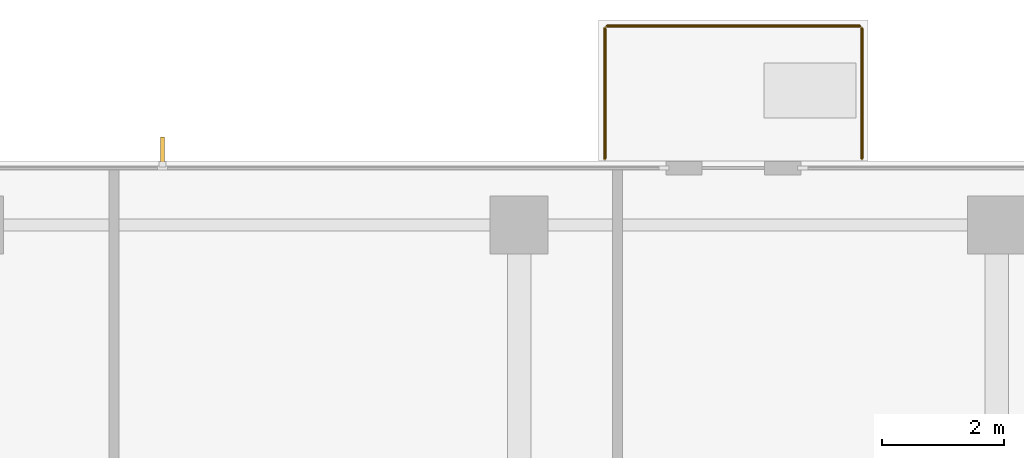
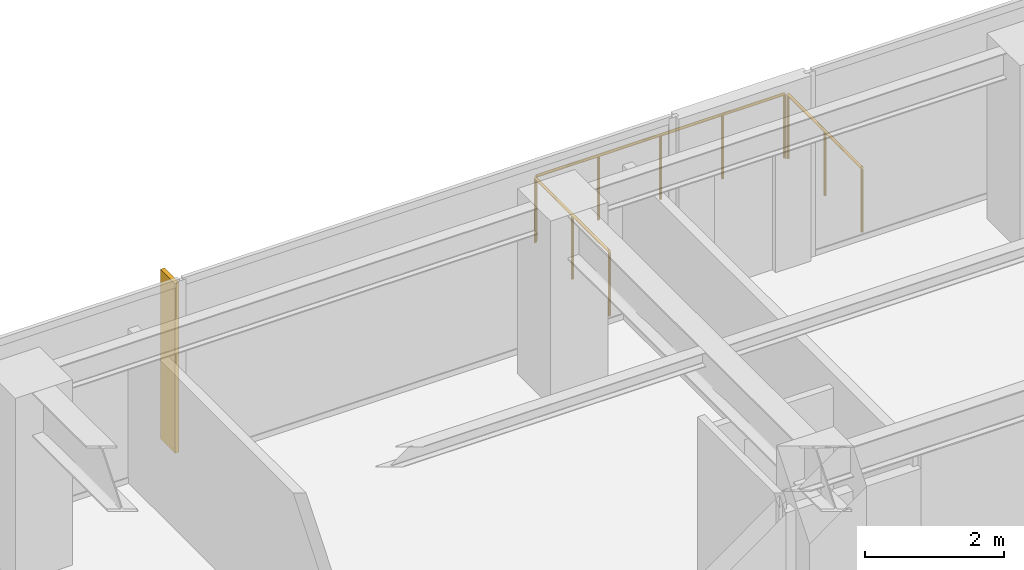
# One storey, part 15 of 15: 3 railings, 1 shading device.
"""IFC4 building model written with IfcOpenShell, lengths in metres."""

from ifc_helpers import new_model, si_unit, direction, frame, origin, origin_2d, place, context, subcontext, project, spatial, polyline, circle, outline, extrude, material, layer, layer_set, type_object, element, save


model = new_model("IFC4")

# Units and contexts
model_context = context("Model", 3, precision=1e-05, world=origin(), true_north=direction((0.0, 1.0)))
body_context = subcontext(model_context, "Body", "Model", "MODEL_VIEW")
ifc_project = project(units=[si_unit("LENGTHUNIT", "METRE"), si_unit("AREAUNIT", "SQUARE_METRE"), si_unit("VOLUMEUNIT", "CUBIC_METRE"), si_unit("PLANEANGLEUNIT", "RADIAN"), si_unit("MASSUNIT", "GRAM", prefix="KILO")], contexts=[model_context])

# Site, building, storey
site_placement = place(None, origin())
site = spatial("IfcSite", under=ifc_project, at=site_placement, CompositionType="ELEMENT")
building_placement = place(site_placement, origin())
building = spatial("IfcBuilding", under=site, at=building_placement, Name="Qalmaran Belvedere Hotel", CompositionType="ELEMENT")
storey_placement = place(building_placement, frame((0.0, 0.0, 214.39990234375)))
storey = spatial("IfcBuildingStorey", under=building, at=storey_placement, Name="L54", CompositionType="ELEMENT", Elevation=214.39990234375)

# Shading device
ifc_material = material(Name="Anodised Bronze Aluminium", Category="aluminium")
ifc_layer = layer(ifc_material, 0.06494140625, Name="Anodised Bronze Aluminium")
ifc_layer_set = layer_set([ifc_layer], Name="Anodised Bronze Aluminium")
shading_device_type = type_object("IfcShadingDeviceType", Name="FIN-BRNZ-420", PredefinedType="USERDEFINED", material=ifc_layer_set)
shading_device_placement = place(storey_placement, frame((0.0, 0.0, 0.16015625)))
element("IfcShadingDevice", 1, at=shading_device_placement, inside=storey, type_object=shading_device_type, Name="L54 Bronze Fin 1", ObjectType="FIN", PredefinedType="USERDEFINED", context=body_context, shape_type="SweptSolid", body=[
    extrude(outline(polyline([(23.407470703125, 41.467529296875), (23.407470703125, 41.887451171875), (23.342529296875, 41.887451171875), (23.342529296875, 41.467529296875), (23.407470703125, 41.467529296875)])), origin(), (0.0, 0.0, 1.0), 2.97998046875),
])

# Railings
railing_type = type_object("IfcRailingType", Name="GRD-BAL-1150", PredefinedType="BALUSTRADE", material=ifc_material)
railing_1_placement = place(storey_placement, frame((30.60009765625, 41.534912109375, 0.0)))
element("IfcRailing", 2, at=railing_1_placement, inside=storey, type_object=railing_type, Name="L54 Guardrail BAL-L54-N-1", PredefinedType="BALUSTRADE", context=body_context, shape_type="SweptSolid", body=[
    extrude(circle(Radius=0.02392578125, at=origin_2d()), frame((0.0, 0.0, 1.1259765625), z_axis=(0.0, 1.0, 0.0), x_axis=(-1.0, 0.0, 0.0)), (0.0, 0.0, 1.0), 2.130126953125),
    extrude(circle(Radius=0.02099609375, at=origin_2d()), origin(), (0.0, 0.0, 1.0), 1.101806640625),
    extrude(circle(Radius=0.02099609375, at=origin_2d()), frame((0.0, 1.06494140625, 0.0)), (0.0, 0.0, 1.0), 1.101806640625),
    extrude(circle(Radius=0.02099609375, at=origin_2d()), frame((0.0, 2.130126953125, 0.0)), (0.0, 0.0, 1.0), 1.101806640625),
])
railing_2_placement = place(storey_placement, frame((30.635009765625, 43.699951171875, 0.0)))
element("IfcRailing", 3, at=railing_2_placement, inside=storey, type_object=railing_type, Name="L54 Guardrail BAL-L54-N-2", PredefinedType="BALUSTRADE", context=body_context, shape_type="SweptSolid", body=[
    extrude(circle(Radius=0.02392578125, at=origin_2d()), frame((0.0, 0.0, 1.1259765625), z_axis=(1.0, 0.0, 0.0), x_axis=(0.0, 1.0, 0.0)), (0.0, 0.0, 1.0), 4.1298828125),
    extrude(circle(Radius=0.02099609375, at=origin_2d()), origin(), (0.0, 0.0, 1.0), 1.101806640625),
    extrude(circle(Radius=0.02099609375, at=origin_2d()), frame((1.032470703125, 0.0, 0.0)), (0.0, 0.0, 1.0), 1.101806640625),
    extrude(circle(Radius=0.02099609375, at=origin_2d()), frame((2.06494140625, 0.0, 0.0)), (0.0, 0.0, 1.0), 1.101806640625),
    extrude(circle(Radius=0.02099609375, at=origin_2d()), frame((3.097412109375, 0.0, 0.0)), (0.0, 0.0, 1.0), 1.101806640625),
    extrude(circle(Radius=0.02099609375, at=origin_2d()), frame((4.1298828125, 0.0, 0.0)), (0.0, 0.0, 1.0), 1.101806640625),
])
railing_3_placement = place(storey_placement, frame((34.800048828125, 43.6650390625, 0.0)))
element("IfcRailing", 4, at=railing_3_placement, inside=storey, type_object=railing_type, Name="L54 Guardrail BAL-L54-N-3", PredefinedType="BALUSTRADE", context=body_context, shape_type="SweptSolid", body=[
    extrude(circle(Radius=0.02392578125, at=origin_2d()), frame((0.0, 0.0, 1.1259765625), z_axis=(0.0, -1.0, 0.0), x_axis=(1.0, 0.0, 0.0)), (0.0, 0.0, 1.0), 2.130126953125),
    extrude(circle(Radius=0.02099609375, at=origin_2d()), origin(), (0.0, 0.0, 1.0), 1.101806640625),
    extrude(circle(Radius=0.02099609375, at=origin_2d()), frame((0.0, -1.06494140625, 0.0)), (0.0, 0.0, 1.0), 1.101806640625),
    extrude(circle(Radius=0.02099609375, at=origin_2d()), frame((0.0, -2.130126953125, 0.0)), (0.0, 0.0, 1.0), 1.101806640625),
])

save(model, "model.ifc")
